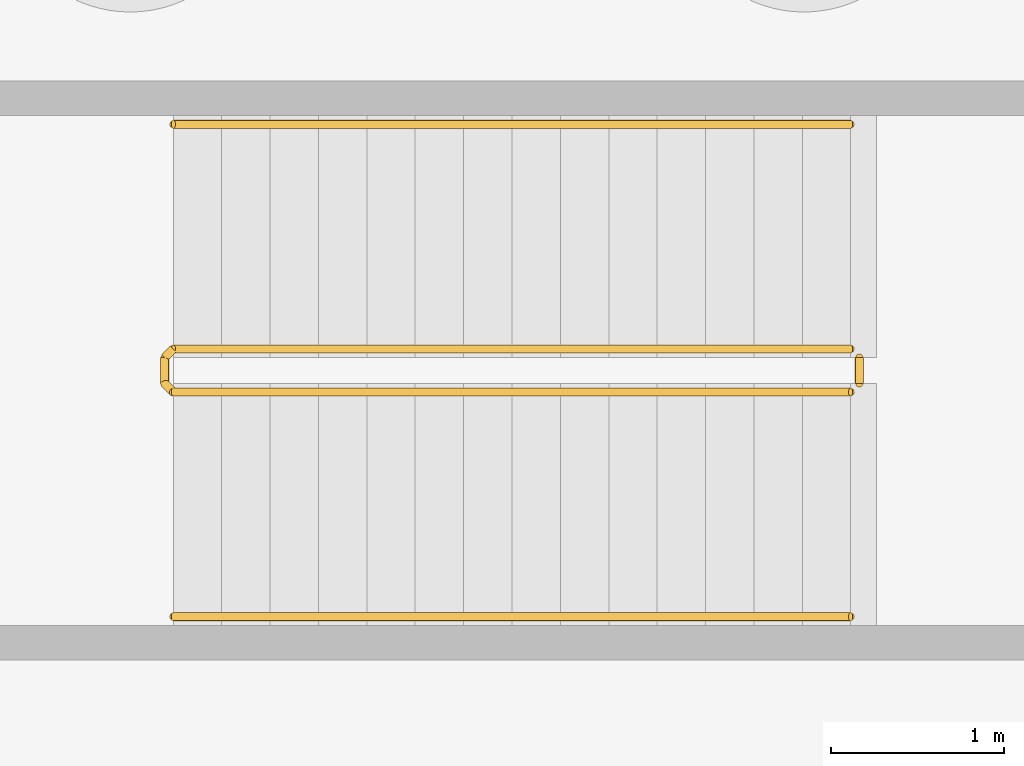
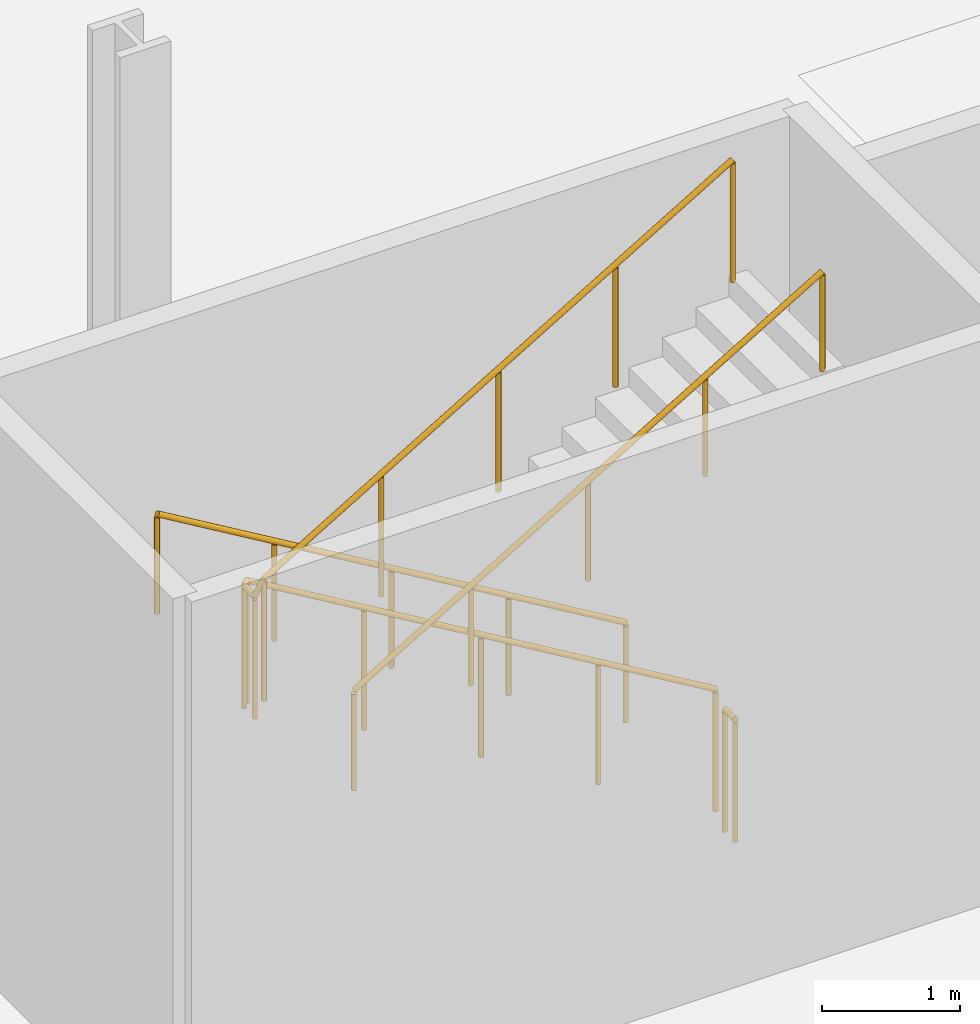
# One storey, part 21 of 23: 4 railings.
"""IFC4 building model written with IfcOpenShell, lengths in metres."""

from ifc_helpers import new_model, si_unit, direction, frame, origin, origin_2d, place, context, subcontext, project, spatial, circle, extrude, material, type_object, element, save


model = new_model("IFC4")

# Units and contexts
model_context = context("Model", 3, precision=1e-05, world=origin(), true_north=direction((0.0, 1.0)))
body_context = subcontext(model_context, "Body", "Model", "MODEL_VIEW")
ifc_project = project(units=[si_unit("LENGTHUNIT", "METRE"), si_unit("AREAUNIT", "SQUARE_METRE"), si_unit("VOLUMEUNIT", "CUBIC_METRE"), si_unit("PLANEANGLEUNIT", "RADIAN"), si_unit("MASSUNIT", "GRAM", prefix="KILO")], contexts=[model_context])

# Site, building, storey
site_placement = place(None, origin())
site = spatial("IfcSite", under=ifc_project, at=site_placement, CompositionType="ELEMENT")
building_placement = place(site_placement, origin())
building = spatial("IfcBuilding", under=site, at=building_placement, Name="Kheshtan School and Residences Tower", CompositionType="ELEMENT")
storey_placement = place(building_placement, frame((0.0, 0.0, -15.0)))
storey = spatial("IfcBuildingStorey", under=building, at=storey_placement, Name="B3", CompositionType="ELEMENT", Elevation=-15.0)

# Railings
ifc_material_1 = material(Name="Stainless steel balustrade", Category="steel")
railing_type_1 = type_object("IfcRailingType", Name="Stair guard 1100", PredefinedType="GUARDRAIL", material=ifc_material_1)
railing_1_placement = place(storey_placement, frame((17.419921875, 62.550048828125, 0.166748046875)))
element("IfcRailing", 1, at=railing_1_placement, inside=storey, type_object=railing_type_1, Name="B3 SS-west stair guard 1", PredefinedType="GUARDRAIL", context=body_context, shape_type="SweptSolid", body=[
    extrude(circle(Radius=0.02392578125, at=origin_2d()), frame((0.0, 0.0, 1.076171875), z_axis=(-0.859296244711, 0.0, 0.511478214419), x_axis=(0.0, -1.0, 0.0)), (0.0, 0.0, 1.0), 4.561767578125),
    extrude(circle(Radius=0.02392578125, at=origin_2d()), frame((-3.919921875, 0.0, 3.4091796875), z_axis=(-0.707106781187, -0.707106781187, 0.0), x_axis=(0.707106781187, -0.707106781187, 0.0)), (0.0, 0.0, 1.0), 0.07080078125),
    extrude(circle(Radius=0.02392578125, at=origin_2d()), frame((-3.969970703125, -0.050048828125, 3.4091796875), z_axis=(0.0, -1.0, 0.0), x_axis=(1.0, 0.0, 0.0)), (0.0, 0.0, 1.0), 0.14990234375),
    extrude(circle(Radius=0.02392578125, at=origin_2d()), frame((-3.969970703125, -0.199951171875, 3.4091796875), z_axis=(0.27628659633, -0.27628659633, 0.920506074601), x_axis=(0.707106781187, 0.707106781187, 0.0)), (0.0, 0.0, 1.0), 0.18115234375),
    extrude(circle(Radius=0.02392578125, at=origin_2d()), frame((-3.919921875, -0.25, 3.576171875), z_axis=(0.859296244711, 0.0, 0.511478214419), x_axis=(0.0, 1.0, 0.0)), (0.0, 0.0, 1.0), 4.561767578125),
    extrude(circle(Radius=0.02099609375, at=origin_2d()), origin(), (0.0, 0.0, 1.0), 1.052001953125),
    extrude(circle(Radius=0.02099609375, at=origin_2d()), frame((-0.97998046875, 0.0, 0.583251953125)), (0.0, 0.0, 1.0), 1.052001953125),
    extrude(circle(Radius=0.02099609375, at=origin_2d()), frame((-1.9599609375, 0.0, 1.16650390625)), (0.0, 0.0, 1.0), 1.052001953125),
    extrude(circle(Radius=0.02099609375, at=origin_2d()), frame((-2.93994140625, 0.0, 1.75)), (0.0, 0.0, 1.0), 1.052001953125),
    extrude(circle(Radius=0.02099609375, at=origin_2d()), frame((-3.919921875, 0.0, 2.333251953125)), (0.0, 0.0, 1.0), 1.052001953125),
    extrude(circle(Radius=0.02099609375, at=origin_2d()), frame((-3.969970703125, -0.050048828125, 2.333251953125)), (0.0, 0.0, 1.0), 1.052001953125),
    extrude(circle(Radius=0.02099609375, at=origin_2d()), frame((-3.969970703125, -0.199951171875, 2.333251953125)), (0.0, 0.0, 1.0), 1.052001953125),
    extrude(circle(Radius=0.02099609375, at=origin_2d()), frame((-3.919921875, -0.25, 2.5)), (0.0, 0.0, 1.0), 1.052001953125),
    extrude(circle(Radius=0.02099609375, at=origin_2d()), frame((-2.93994140625, -0.25, 3.083251953125)), (0.0, 0.0, 1.0), 1.052001953125),
    extrude(circle(Radius=0.02099609375, at=origin_2d()), frame((-1.9599609375, -0.25, 3.66650390625)), (0.0, 0.0, 1.0), 1.052001953125),
    extrude(circle(Radius=0.02099609375, at=origin_2d()), frame((-0.97998046875, -0.25, 4.25)), (0.0, 0.0, 1.0), 1.052001953125),
    extrude(circle(Radius=0.02099609375, at=origin_2d()), frame((0.0, -0.25, 4.833251953125)), (0.0, 0.0, 1.0), 1.052001953125),
])
railing_2_placement = place(storey_placement, frame((17.469970703125, 62.5, 0.0)))
element("IfcRailing", 2, at=railing_2_placement, inside=storey, type_object=railing_type_1, Name="B3 SS-west stair guard 2", PredefinedType="GUARDRAIL", context=body_context, shape_type="SweptSolid", body=[
    extrude(circle(Radius=0.02392578125, at=origin_2d()), frame((0.0, 0.0, 1.076171875), z_axis=(0.0, -1.0, 0.0), x_axis=(1.0, 0.0, 0.0)), (0.0, 0.0, 1.0), 0.14990234375),
    extrude(circle(Radius=0.02099609375, at=origin_2d()), origin(), (0.0, 0.0, 1.0), 1.052001953125),
    extrude(circle(Radius=0.02099609375, at=origin_2d()), frame((0.0, -0.14990234375, 0.0)), (0.0, 0.0, 1.0), 1.052001953125),
])
ifc_material_2 = material(Name="Stainless steel handrail", Category="steel")
railing_type_2 = type_object("IfcRailingType", Name="Stair handrail 900", PredefinedType="HANDRAIL", material=ifc_material_2)
railing_3_placement = place(storey_placement, frame((17.419921875, 63.85009765625, 0.166748046875)))
element("IfcRailing", 3, at=railing_3_placement, inside=storey, type_object=railing_type_2, Name="B3 SS-west stair handrail 1", PredefinedType="HANDRAIL", context=body_context, shape_type="SweptSolid", body=[
    extrude(circle(Radius=0.02392578125, at=origin_2d()), frame((0.0, 0.0, 0.8759765625), z_axis=(-0.859296244711, 0.0, 0.511478214419), x_axis=(0.0, -1.0, 0.0)), (0.0, 0.0, 1.0), 4.561767578125),
    extrude(circle(Radius=0.02099609375, at=origin_2d()), origin(), (0.0, 0.0, 1.0), 0.851806640625),
    extrude(circle(Radius=0.02099609375, at=origin_2d()), frame((-0.97998046875, 0.0, 0.583251953125)), (0.0, 0.0, 1.0), 0.851806640625),
    extrude(circle(Radius=0.02099609375, at=origin_2d()), frame((-1.9599609375, 0.0, 1.16650390625)), (0.0, 0.0, 1.0), 0.851806640625),
    extrude(circle(Radius=0.02099609375, at=origin_2d()), frame((-2.93994140625, 0.0, 1.75)), (0.0, 0.0, 1.0), 0.851806640625),
    extrude(circle(Radius=0.02099609375, at=origin_2d()), frame((-3.919921875, 0.0, 2.333251953125)), (0.0, 0.0, 1.0), 0.851806640625),
])
railing_4_placement = place(storey_placement, frame((13.5, 61.0, 2.666748046875)))
element("IfcRailing", 4, at=railing_4_placement, inside=storey, type_object=railing_type_2, Name="B3 SS-west stair handrail 2", PredefinedType="HANDRAIL", context=body_context, shape_type="SweptSolid", body=[
    extrude(circle(Radius=0.02392578125, at=origin_2d()), frame((0.0, 0.0, 0.8759765625), z_axis=(0.859296244711, 0.0, 0.511478214419), x_axis=(0.0, 1.0, 0.0)), (0.0, 0.0, 1.0), 4.561767578125),
    extrude(circle(Radius=0.02099609375, at=origin_2d()), origin(), (0.0, 0.0, 1.0), 0.851806640625),
    extrude(circle(Radius=0.02099609375, at=origin_2d()), frame((0.97998046875, 0.0, 0.583251953125)), (0.0, 0.0, 1.0), 0.851806640625),
    extrude(circle(Radius=0.02099609375, at=origin_2d()), frame((1.9599609375, 0.0, 1.16650390625)), (0.0, 0.0, 1.0), 0.851806640625),
    extrude(circle(Radius=0.02099609375, at=origin_2d()), frame((2.93994140625, 0.0, 1.75)), (0.0, 0.0, 1.0), 0.851806640625),
    extrude(circle(Radius=0.02099609375, at=origin_2d()), frame((3.919921875, 0.0, 2.333251953125)), (0.0, 0.0, 1.0), 0.851806640625),
])

save(model, "model.ifc")
